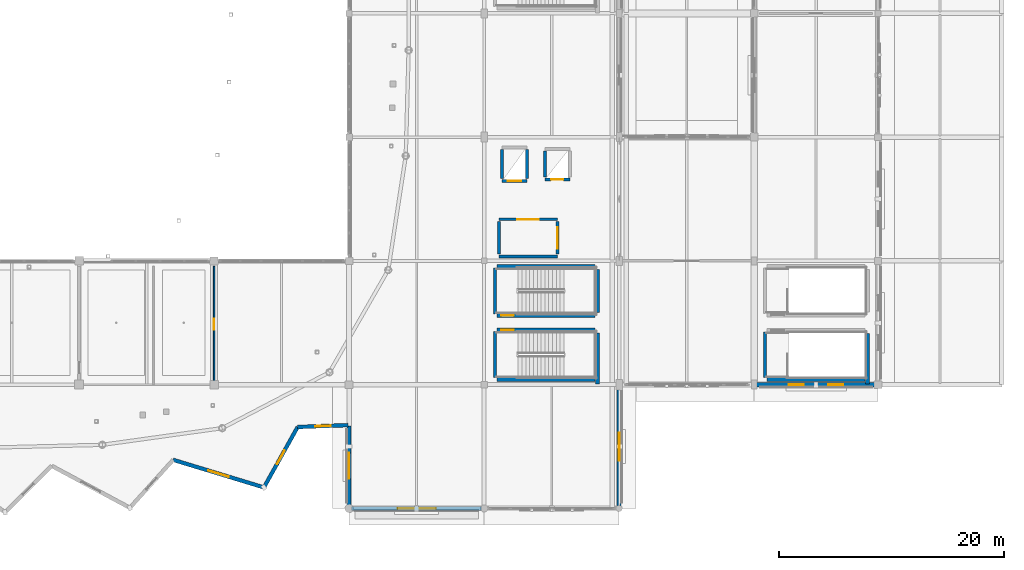
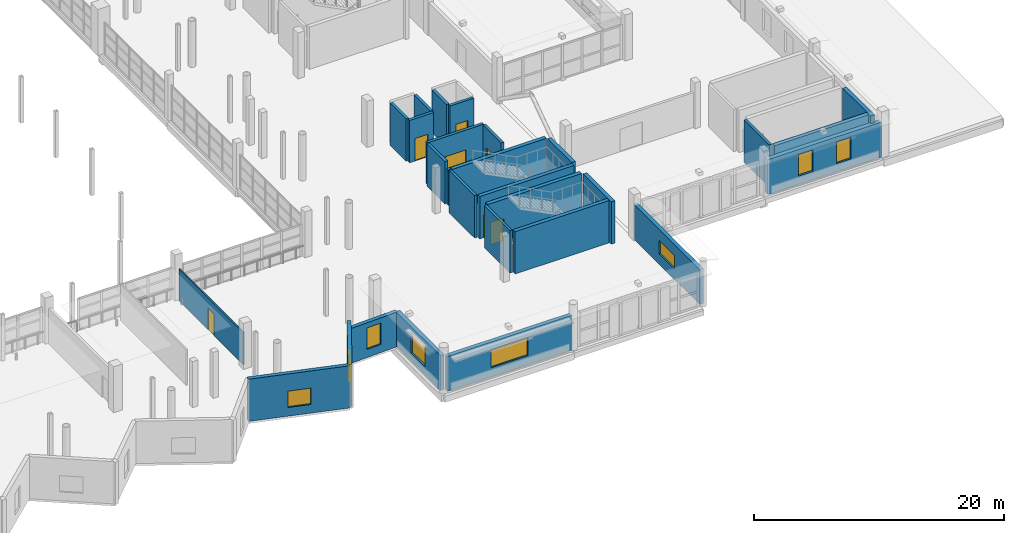
# One storey, part 86 of 118: 28 walls, 8 windows, 7 doors, 15 openings.
"""IFC4 building model written with IfcOpenShell, lengths in metres."""

from ifc_helpers import new_model, si_unit, direction, frame, frame_2d, origin, place, context, subcontext, project, spatial, rectangle, extrude, material, layer, layer_set, type_object, element, fill, save


model = new_model("IFC4")

# Units and contexts
model_context = context("Model", 3, precision=1e-05, world=origin(), true_north=direction((0.0, 1.0)))
body_context = subcontext(model_context, "Body", "Model", "MODEL_VIEW")
ifc_project = project(units=[si_unit("LENGTHUNIT", "METRE"), si_unit("AREAUNIT", "SQUARE_METRE"), si_unit("VOLUMEUNIT", "CUBIC_METRE"), si_unit("PLANEANGLEUNIT", "RADIAN"), si_unit("MASSUNIT", "GRAM", prefix="KILO")], contexts=[model_context])

# Site, building, storey
site_placement = place(None, origin())
site = spatial("IfcSite", under=ifc_project, at=site_placement, CompositionType="ELEMENT")
building_placement = place(site_placement, origin())
building = spatial("IfcBuilding", under=site, at=building_placement, Name="Luwafu Chhajja Arena", CompositionType="ELEMENT")
storey_placement = place(building_placement, frame((0.0, 0.0, 10.199951171875)))
storey = spatial("IfcBuildingStorey", under=building, at=storey_placement, Name="L02", CompositionType="ELEMENT", Elevation=10.199951171875)

# Wall, opening, door
ifc_material_1 = material(Name="Concrete C40/50", Category="concrete")
ifc_layer_1 = layer(ifc_material_1, 0.260009765625, Name="Concrete C40/50")
ifc_layer_set_1 = layer_set([ifc_layer_1], Name="Concrete C40/50")
wall_type_1 = type_object("IfcWallType", Name="Firefighting Lobby Wall 260", PredefinedType="SOLIDWALL", material=ifc_layer_set_1)
wall_1_placement = place(storey_placement, frame((153.300048828125, 25.699951171875, 0.0), z_axis=(0.0, 0.0, 1.0), x_axis=(1.0, 0.0, 0.0)))
wall_1 = element("IfcWall", 1, at=wall_1_placement, inside=storey, type_object=wall_type_1, Name="L02 Core C2 Firefighting Lobby Wall N", PredefinedType="SOLIDWALL", context=body_context, shape_type="SweptSolid", body=[
    extrude(rectangle(XDim=5.199951171875, YDim=0.260009765625, at=frame_2d((2.60009765625, 0.0))), origin(), (0.0, 0.0, 1.0), 4.14013671875),
])
opening_1_placement = place(wall_1_placement, frame((1.64990234375, 0.0, 0.0)))
opening_1 = element("IfcOpeningElement", 2, at=opening_1_placement, cuts=wall_1, Name="Opening DR-07", PredefinedType="OPENING", context=body_context, shape_type="SweptSolid", body=[
    extrude(rectangle(XDim=1.89990234375, YDim=2.199951171875, at=frame_2d((0.949951171875, 1.10009765625))), frame((0.0, 0.139892578125, 0.0), z_axis=(0.0, -1.0, 0.0), x_axis=(1.0, 0.0, 0.0)), (0.0, 0.0, 1.0), 0.280029296875),
])
ifc_material_2 = material(Name="Fire-rated hardwood and vision panel", Category="wood")
door_type_1 = type_object("IfcDoorType", Name="DR-07", OperationType="DOUBLE_DOOR_SINGLE_SWING", PredefinedType="DOOR", material=ifc_material_2)
door_1_placement = place(opening_1_placement, origin())
door_1 = element("IfcDoor", 3, at=door_1_placement, inside=storey, type_object=door_type_1, Name="L02 Firefighting Lobby C2 Door L02-D007", OperationType="DOUBLE_DOOR_SINGLE_SWING", OverallHeight=2.199951171875, OverallWidth=1.89990234375, PredefinedType="DOOR", context=body_context, shape_type="SweptSolid", body=[
    extrude(rectangle(XDim=1.89990234375, YDim=2.199951171875, at=frame_2d((0.949951171875, 1.10009765625))), frame((0.0, 0.02490234375, 0.0), z_axis=(0.0, -1.0, 0.0), x_axis=(1.0, 0.0, 0.0)), (0.0, 0.0, 1.0), 0.050048828125),
])
fill(opening_1, door_1)

# Walls
wall_2_placement = place(storey_placement, frame((153.300048828125, 22.39990234375, 0.0), z_axis=(0.0, 0.0, 1.0), x_axis=(1.0, 0.0, 0.0)))
element("IfcWall", 4, at=wall_2_placement, inside=storey, type_object=wall_type_1, Name="L02 Core C2 Firefighting Lobby Wall S", PredefinedType="SOLIDWALL", context=body_context, shape_type="SweptSolid", body=[
    extrude(rectangle(XDim=5.199951171875, YDim=0.260009765625, at=frame_2d((2.60009765625, 0.0))), origin(), (0.0, 0.0, 1.0), 3.477783203125),
])
wall_3_placement = place(storey_placement, frame((153.300048828125, 22.60009765625, 0.0), z_axis=(0.0, 0.0, 1.0), x_axis=(0.0, 1.0, 0.0)))
element("IfcWall", 5, at=wall_3_placement, inside=storey, type_object=wall_type_1, Name="L02 Core C2 Firefighting Lobby Wall W", PredefinedType="SOLIDWALL", context=body_context, shape_type="SweptSolid", body=[
    extrude(rectangle(XDim=2.89990234375, YDim=0.260009765625, at=frame_2d((1.449951171875, 0.0))), origin(), (0.0, 0.0, 1.0), 4.14013671875),
])

# Wall, opening, door
wall_4_placement = place(storey_placement, frame((158.5, 22.60009765625, 0.0), z_axis=(0.0, 0.0, 1.0), x_axis=(0.0, 1.0, 0.0)))
wall_4 = element("IfcWall", 6, at=wall_4_placement, inside=storey, type_object=wall_type_1, Name="L02 Core C2 Firefighting Lobby Wall E", PredefinedType="SOLIDWALL", context=body_context, shape_type="SweptSolid", body=[
    extrude(rectangle(XDim=2.89990234375, YDim=0.260009765625, at=frame_2d((1.449951171875, 0.0))), origin(), (0.0, 0.0, 1.0), 4.14013671875),
])
opening_2_placement = place(wall_4_placement, frame((0.5, 0.0, 0.0)))
opening_2 = element("IfcOpeningElement", 7, at=opening_2_placement, cuts=wall_4, Name="Opening DR-07", PredefinedType="OPENING", context=body_context, shape_type="SweptSolid", body=[
    extrude(rectangle(XDim=1.89990234375, YDim=2.199951171875, at=frame_2d((0.949951171875, 1.10009765625))), frame((0.0, 0.139892578125, 0.0), z_axis=(0.0, -1.0, 0.0), x_axis=(1.0, 0.0, 0.0)), (0.0, 0.0, 1.0), 0.280029296875),
])
door_2_placement = place(opening_2_placement, origin())
door_2 = element("IfcDoor", 8, at=door_2_placement, inside=storey, type_object=door_type_1, Name="L02 Firefighting Lobby C2 Door L02-D008", OperationType="DOUBLE_DOOR_SINGLE_SWING", OverallHeight=2.199951171875, OverallWidth=1.89990234375, PredefinedType="DOOR", context=body_context, shape_type="SweptSolid", body=[
    extrude(rectangle(XDim=1.89990234375, YDim=2.199951171875, at=frame_2d((0.949951171875, 1.10009765625))), frame((0.0, 0.02490234375, 0.0), z_axis=(0.0, -1.0, 0.0), x_axis=(1.0, 0.0, 0.0)), (0.0, 0.0, 1.0), 0.050048828125),
])
fill(opening_2, door_2)

ifc_material_3 = material(Name="Acoustic metal-stud gypsum board")
ifc_layer_2 = layer(ifc_material_3, 0.1201171875, Name="Acoustic metal-stud gypsum board")
ifc_layer_set_2 = layer_set([ifc_layer_2], Name="Acoustic metal-stud gypsum board")
wall_type_2 = type_object("IfcWallType", Name="Internal Room Partition 120", PredefinedType="PARTITIONING", material=ifc_layer_set_2)
wall_5_placement = place(storey_placement, frame((128.0, 11.219970703125, 0.0), z_axis=(0.0, 0.0, 1.0), x_axis=(0.0, 1.0, 0.0)))
wall_5 = element("IfcWall", 9, at=wall_5_placement, inside=storey, type_object=wall_type_2, Name="L02 Internal Partition 0280", PredefinedType="PARTITIONING", context=body_context, shape_type="SweptSolid", body=[
    extrude(rectangle(XDim=10.300048828125, YDim=0.1201171875, at=frame_2d((5.14990234375, 0.0))), origin(), (0.0, 0.0, 1.0), 3.14013671875),
])
opening_3_placement = place(wall_5_placement, frame((4.659912109375, 0.0, 0.0)))
opening_3 = element("IfcOpeningElement", 10, at=opening_3_placement, cuts=wall_5, Name="Opening DR-27", PredefinedType="OPENING", context=body_context, shape_type="SweptSolid", body=[
    extrude(rectangle(XDim=0.97998046875, YDim=2.10009765625, at=frame_2d((0.489990234375, 1.050048828125))), frame((0.0, 0.070068359375, 0.0), z_axis=(0.0, -1.0, 0.0), x_axis=(1.0, 0.0, 0.0)), (0.0, 0.0, 1.0), 0.14013671875),
])
ifc_material_4 = material(Name="Moisture-resistant laminate leaf")
door_type_2 = type_object("IfcDoorType", Name="DR-27", OperationType="NOTDEFINED", PredefinedType="DOOR", material=ifc_material_4)
door_3_placement = place(opening_3_placement, origin())
door_3 = element("IfcDoor", 11, at=door_3_placement, inside=storey, type_object=door_type_2, Name="L02 Interior Door L02-D038", OperationType="SINGLE_SWING_LEFT", OverallHeight=2.10009765625, OverallWidth=0.97998046875, PredefinedType="DOOR", context=body_context, shape_type="SweptSolid", body=[
    extrude(rectangle(XDim=0.97998046875, YDim=2.10009765625, at=frame_2d((0.489990234375, 1.050048828125))), frame((0.0, 0.02490234375, 0.0), z_axis=(0.0, -1.0, 0.0), x_axis=(1.0, 0.0, 0.0)), (0.0, 0.0, 1.0), 0.050048828125),
])
fill(opening_3, door_3)

ifc_material_5 = material(Name="Concrete C35/45", Category="concrete")
ifc_layer_3 = layer(ifc_material_5, 0.260009765625, Name="Concrete C35/45")
ifc_layer_set_3 = layer_set([ifc_layer_3], Name="Concrete C35/45")
wall_type_3 = type_object("IfcWallType", Name="Lift and Riser Shaft Wall 260", PredefinedType="SOLIDWALL", material=ifc_layer_set_3)
wall_6_placement = place(storey_placement, frame((153.590087890625, 29.114990234375, 0.0), z_axis=(0.0, 0.0, 1.0), x_axis=(1.0, 0.0, 0.0)))
wall_6 = element("IfcWall", 12, at=wall_6_placement, inside=storey, type_object=wall_type_3, Name="L02 Lift LF-02 Shaft Wall S", PredefinedType="SOLIDWALL", context=body_context, shape_type="SweptSolid", body=[
    extrude(rectangle(XDim=2.219970703125, YDim=0.260009765625, at=frame_2d((1.10986328125, 0.0))), origin(), (0.0, 0.0, 1.0), 4.14013671875),
])
opening_4_placement = place(wall_6_placement, frame((0.510009765625, 0.0, 0.0)))
opening_4 = element("IfcOpeningElement", 13, at=opening_4_placement, cuts=wall_6, Name="Opening LD-02", PredefinedType="OPENING", context=body_context, shape_type="SweptSolid", body=[
    extrude(rectangle(XDim=1.199951171875, YDim=2.199951171875, at=frame_2d((0.60009765625, 1.10009765625))), frame((0.0, 0.139892578125, 0.0), z_axis=(0.0, -1.0, 0.0), x_axis=(1.0, 0.0, 0.0)), (0.0, 0.0, 1.0), 0.280029296875),
])
ifc_material_6 = material(Name="Brushed stainless steel sliding leaves", Category="steel")
door_type_3 = type_object("IfcDoorType", Name="LD-02", OperationType="SLIDING_TO_LEFT", PredefinedType="DOOR", material=ifc_material_6)
door_4_placement = place(opening_4_placement, origin())
door_4 = element("IfcDoor", 14, at=door_4_placement, inside=storey, type_object=door_type_3, Name="L02 Lift LF-02 Landing Door L02-LD03", OperationType="SLIDING_TO_LEFT", OverallHeight=2.199951171875, OverallWidth=1.199951171875, PredefinedType="DOOR", context=body_context, shape_type="SweptSolid", body=[
    extrude(rectangle(XDim=1.199951171875, YDim=2.199951171875, at=frame_2d((0.60009765625, 1.10009765625))), frame((0.0, 0.02490234375, 0.0), z_axis=(0.0, -1.0, 0.0), x_axis=(1.0, 0.0, 0.0)), (0.0, 0.0, 1.0), 0.050048828125),
])
fill(opening_4, door_4)

# Walls
for number, where, z_axis, x_axis, name in (
    (15, (153.590087890625, 29.31494140625, 0.0), (0.0, 0.0, 1.0), (0.0, 1.0, 0.0), "L02 Lift LF-02 Shaft Wall W"),
    (16, (155.81005859375, 29.31494140625, 0.0), (0.0, 0.0, 1.0), (0.0, 1.0, 0.0), "L02 Lift LF-02 Shaft Wall E"),
):
    element("IfcWall", number, at=place(storey_placement, frame(where, z_axis=z_axis, x_axis=x_axis)), inside=storey, type_object=wall_type_3, Name=name, PredefinedType="SOLIDWALL", context=body_context, shape_type="SweptSolid", body=[
        extrude(rectangle(XDim=2.570068359375, YDim=0.260009765625, at=frame_2d((1.28515625, 0.0))), origin(), (0.0, 0.0, 1.0), 4.14013671875),
    ])

# Wall, opening, door
wall_7_placement = place(storey_placement, frame((157.389892578125, 29.239990234375, 0.0), z_axis=(0.0, 0.0, 1.0), x_axis=(1.0, 0.0, 0.0)))
wall_7 = element("IfcWall", 17, at=wall_7_placement, inside=storey, type_object=wall_type_3, Name="L02 Lift LF-06 Shaft Wall S", PredefinedType="SOLIDWALL", context=body_context, shape_type="SweptSolid", body=[
    extrude(rectangle(XDim=2.22021484375, YDim=0.260009765625, at=frame_2d((1.110107421875, 0.0))), origin(), (0.0, 0.0, 1.0), 4.14013671875),
])
opening_5_placement = place(wall_7_placement, frame((0.56005859375, 0.0, 0.0)))
opening_5 = element("IfcOpeningElement", 18, at=opening_5_placement, cuts=wall_7, Name="Opening LD-01", PredefinedType="OPENING", context=body_context, shape_type="SweptSolid", body=[
    extrude(rectangle(XDim=1.10009765625, YDim=2.14990234375, at=frame_2d((0.550048828125, 1.074951171875))), frame((0.0, 0.139892578125, 0.0), z_axis=(0.0, -1.0, 0.0), x_axis=(1.0, 0.0, 0.0)), (0.0, 0.0, 1.0), 0.280029296875),
])
door_type_4 = type_object("IfcDoorType", Name="LD-01", OperationType="SLIDING_TO_LEFT", PredefinedType="DOOR", material=ifc_material_6)
door_5_placement = place(opening_5_placement, origin())
door_5 = element("IfcDoor", 19, at=door_5_placement, inside=storey, type_object=door_type_4, Name="L02 Lift LF-06 Landing Door L02-LD04", OperationType="SLIDING_TO_LEFT", OverallHeight=2.14990234375, OverallWidth=1.10009765625, PredefinedType="DOOR", context=body_context, shape_type="SweptSolid", body=[
    extrude(rectangle(XDim=1.10009765625, YDim=2.14990234375, at=frame_2d((0.550048828125, 1.074951171875))), frame((0.0, 0.02490234375, 0.0), z_axis=(0.0, -1.0, 0.0), x_axis=(1.0, 0.0, 0.0)), (0.0, 0.0, 1.0), 0.050048828125),
])
fill(opening_5, door_5)

# Wall
wall_8_placement = place(storey_placement, frame((157.389892578125, 29.43994140625, 0.0), z_axis=(0.0, 0.0, 1.0), x_axis=(0.0, 1.0, 0.0)))
element("IfcWall", 20, at=wall_8_placement, inside=storey, type_object=wall_type_3, Name="L02 Lift LF-06 Shaft Wall W", PredefinedType="SOLIDWALL", context=body_context, shape_type="SweptSolid", body=[
    extrude(rectangle(XDim=2.320068359375, YDim=0.260009765625, at=frame_2d((1.16015625, 0.0))), origin(), (0.0, 0.0, 1.0), 4.14013671875),
])

# Wall, opening, window
ifc_material_7 = material(Name="Precast concrete C40/50", Category="concrete")
ifc_layer_4 = layer(ifc_material_7, 0.340087890625, Name="Precast concrete C40/50")
ifc_layer_set_4 = layer_set([ifc_layer_4], Name="Precast concrete C40/50")
wall_type_4 = type_object("IfcWallType", Name="Pleated Bowl V-Fold Wall 340", PredefinedType="USERDEFINED", material=ifc_layer_set_4)
wall_9_placement = place(storey_placement, frame((124.364013671875, 4.316162109375, 0.0), z_axis=(0.0, 0.0, 1.0), x_axis=(0.956738407321, -0.290949514446, 0.0)))
wall_9 = element("IfcWall", 21, at=wall_9_placement, inside=storey, type_object=wall_type_4, Name="L02 Pleated Bowl V-Fold Wall 54", ObjectType="PLEATED FACADE WALL", PredefinedType="USERDEFINED", context=body_context, shape_type="SweptSolid", body=[
    extrude(rectangle(XDim=8.427978515625, YDim=0.340087890625, at=frame_2d((4.2138671875, 0.0))), origin(), (0.0, 0.0, 1.0), 4.135009765625),
])
opening_6_placement = place(wall_9_placement, frame((3.263916015625, 0.0, 0.85009765625)))
opening_6 = element("IfcOpeningElement", 22, at=opening_6_placement, cuts=wall_9, Name="Opening WN-15", PredefinedType="OPENING", context=body_context, shape_type="SweptSolid", body=[
    extrude(rectangle(XDim=1.89990234375, YDim=1.60009765625, at=frame_2d((0.949951171875, 0.800048828125))), frame((0.0, 0.179931640625, 0.0), z_axis=(0.0, -1.0, 0.0), x_axis=(1.0, 0.0, 0.0)), (0.0, 0.0, 1.0), 0.360107421875),
])
ifc_material_8 = material(Name="Solar-control laminated glass", Category="glass")
window_type_1 = type_object("IfcWindowType", Name="Pleated Drum Inward-Fold Clerestory 1900x1600", PartitioningType="SINGLE_PANEL", PredefinedType="WINDOW", material=ifc_material_8)
window_1_placement = place(opening_6_placement, origin())
window_1 = element("IfcWindow", 23, at=window_1_placement, inside=storey, type_object=window_type_1, Name="L02 Pleated Bowl Lancet Window 032", OverallHeight=1.60009765625, OverallWidth=1.89990234375, PartitioningType="SINGLE_PANEL", PredefinedType="WINDOW", context=body_context, shape_type="SweptSolid", body=[
    extrude(rectangle(XDim=1.89990234375, YDim=1.60009765625, at=frame_2d((0.949951171875, 0.800048828125))), frame((0.0, 0.030029296875, 0.0), z_axis=(0.0, -1.0, 0.0), x_axis=(1.0, 0.0, 0.0)), (0.0, 0.0, 1.0), 0.06005859375),
])
fill(opening_6, window_1)

wall_10_placement = place(storey_placement, frame((132.427490234375, 1.864013671875, 0.0), z_axis=(0.0, 0.0, 1.0), x_axis=(0.487306352228, 0.87323108, 0.0)))
wall_10 = element("IfcWall", 24, at=wall_10_placement, inside=storey, type_object=wall_type_4, Name="L02 Pleated Bowl V-Fold Wall 55", ObjectType="PLEATED FACADE WALL", PredefinedType="USERDEFINED", context=body_context, shape_type="SweptSolid", body=[
    extrude(rectangle(XDim=6.15283203125, YDim=0.340087890625, at=frame_2d((3.076416015625, 0.0))), origin(), (0.0, 0.0, 1.0), 4.135009765625),
])
opening_7_placement = place(wall_10_placement, frame((2.401611328125, 0.0, 0.800048828125)))
opening_7 = element("IfcOpeningElement", 25, at=opening_7_placement, cuts=wall_10, Name="Opening WN-17", PredefinedType="OPENING", context=body_context, shape_type="SweptSolid", body=[
    extrude(rectangle(XDim=1.35009765625, YDim=2.10009765625, at=frame_2d((0.675048828125, 1.050048828125))), frame((0.0, 0.179931640625, 0.0), z_axis=(0.0, -1.0, 0.0), x_axis=(1.0, 0.0, 0.0)), (0.0, 0.0, 1.0), 0.360107421875),
])
window_type_2 = type_object("IfcWindowType", Name="Exhibition Mezzanine Lancet Window 1350x2100", PartitioningType="SINGLE_PANEL", PredefinedType="WINDOW", material=ifc_material_8)
window_2_placement = place(opening_7_placement, origin())
window_2 = element("IfcWindow", 26, at=window_2_placement, inside=storey, type_object=window_type_2, Name="L02 Pleated Bowl Lancet Window 033", OverallHeight=2.10009765625, OverallWidth=1.35009765625, PartitioningType="SINGLE_PANEL", PredefinedType="WINDOW", context=body_context, shape_type="SweptSolid", body=[
    extrude(rectangle(XDim=1.35009765625, YDim=2.10009765625, at=frame_2d((0.675048828125, 1.050048828125))), frame((0.0, 0.030029296875, 0.0), z_axis=(0.0, -1.0, 0.0), x_axis=(1.0, 0.0, 0.0)), (0.0, 0.0, 1.0), 0.06005859375),
])
fill(opening_7, window_2)

wall_11_placement = place(storey_placement, frame((135.42578125, 7.23681640625, 0.0), z_axis=(0.0, 0.0, 1.0), x_axis=(0.999296191983, 0.037511607381, 0.0)))
wall_11 = element("IfcWall", 27, at=wall_11_placement, inside=storey, type_object=wall_type_4, Name="L02 Pleated Bowl V-Fold Wall 56", ObjectType="PLEATED FACADE WALL", PredefinedType="USERDEFINED", context=body_context, shape_type="SweptSolid", body=[
    extrude(rectangle(XDim=4.497314453125, YDim=0.340087890625, at=frame_2d((2.24853515625, 0.0))), origin(), (0.0, 0.0, 1.0), 3.405029296875),
])
opening_8_placement = place(wall_11_placement, frame((1.573486328125, 0.0, 0.800048828125)))
opening_8 = element("IfcOpeningElement", 28, at=opening_8_placement, cuts=wall_11, Name="Opening WN-17", PredefinedType="OPENING", context=body_context, shape_type="SweptSolid", body=[
    extrude(rectangle(XDim=1.35009765625, YDim=2.10009765625, at=frame_2d((0.675048828125, 1.050048828125))), frame((0.0, 0.179931640625, 0.0), z_axis=(0.0, -1.0, 0.0), x_axis=(1.0, 0.0, 0.0)), (0.0, 0.0, 1.0), 0.360107421875),
])
window_3_placement = place(opening_8_placement, origin())
window_3 = element("IfcWindow", 29, at=window_3_placement, inside=storey, type_object=window_type_2, Name="L02 Pleated Bowl Lancet Window 034", OverallHeight=2.10009765625, OverallWidth=1.35009765625, PartitioningType="SINGLE_PANEL", PredefinedType="WINDOW", context=body_context, shape_type="SweptSolid", body=[
    extrude(rectangle(XDim=1.35009765625, YDim=2.10009765625, at=frame_2d((0.675048828125, 1.050048828125))), frame((0.0, 0.030029296875, 0.0), z_axis=(0.0, -1.0, 0.0), x_axis=(1.0, 0.0, 0.0)), (0.0, 0.0, 1.0), 0.06005859375),
])
fill(opening_8, window_3)

# Walls
ifc_layer_5 = layer(ifc_material_1, 0.35009765625, Name="Concrete C40/50")
ifc_layer_set_5 = layer_set([ifc_layer_5], Name="Concrete C40/50")
wall_type_5 = type_object("IfcWallType", Name="RC Core Shear Wall 350", PredefinedType="SOLIDWALL", material=ifc_layer_set_5)
wall_12_placement = place(storey_placement, frame((162.072021484375, 11.050048828125, 0.0), z_axis=(0.0, 0.0, 1.0), x_axis=(0.0, 1.0, 0.0)))
element("IfcWall", 30, at=wall_12_placement, inside=storey, type_object=wall_type_5, Name="L02 Stair ST-03 Core Shear Wall E", PredefinedType="SOLIDWALL", context=body_context, shape_type="SweptSolid", body=[
    extrude(rectangle(XDim=4.5400390625, YDim=0.35009765625, at=frame_2d((2.27001953125, 0.0))), origin(), (0.0, 0.0, 1.0), 4.14013671875),
])
wall_13_placement = place(storey_placement, frame((153.14990234375, 11.47802734375, 0.0), z_axis=(0.0, 0.0, 1.0), x_axis=(1.0, 0.0, 0.0)))
element("IfcWall", 31, at=wall_13_placement, inside=storey, type_object=wall_type_5, Name="L02 Stair ST-03 Core Shear Wall S", PredefinedType="SOLIDWALL", context=body_context, shape_type="SweptSolid", body=[
    extrude(rectangle(XDim=8.7001953125, YDim=0.35009765625, at=frame_2d((4.35009765625, 0.0))), origin(), (0.0, 0.0, 1.0), 4.14013671875),
])

# Wall, opening, door
wall_14_placement = place(storey_placement, frame((153.14990234375, 15.862060546875, 0.0), z_axis=(0.0, 0.0, 1.0), x_axis=(1.0, 0.0, 0.0)))
wall_14 = element("IfcWall", 32, at=wall_14_placement, inside=storey, type_object=wall_type_5, Name="L02 Stair ST-03 Core Shear Wall N", PredefinedType="SOLIDWALL", context=body_context, shape_type="SweptSolid", body=[
    extrude(rectangle(XDim=8.7001953125, YDim=0.35009765625, at=frame_2d((4.35009765625, 0.0))), origin(), (0.0, 0.0, 1.0), 4.14013671875),
])
opening_9_placement = place(wall_14_placement, frame((0.35009765625, 0.0, 0.0)))
opening_9 = element("IfcOpeningElement", 33, at=opening_9_placement, cuts=wall_14, Name="Opening DR-06", PredefinedType="OPENING", context=body_context, shape_type="SweptSolid", body=[
    extrude(rectangle(XDim=1.14990234375, YDim=2.199951171875, at=frame_2d((0.574951171875, 1.10009765625))), frame((0.0, 0.18505859375, 0.0), z_axis=(0.0, -1.0, 0.0), x_axis=(1.0, 0.0, 0.0)), (0.0, 0.0, 1.0), 0.3701171875),
])
ifc_material_9 = material(Name="Fire-rated hardwood and steel core", Category="steel")
door_type_5 = type_object("IfcDoorType", Name="DR-06", OperationType="NOTDEFINED", PredefinedType="DOOR", material=ifc_material_9)
door_6_placement = place(opening_9_placement, origin())
door_6 = element("IfcDoor", 34, at=door_6_placement, inside=storey, type_object=door_type_5, Name="L02 Escape Stair ST-03 Fire Door L02-D005", OperationType="SINGLE_SWING_RIGHT", OverallHeight=2.199951171875, OverallWidth=1.14990234375, PredefinedType="DOOR", context=body_context, shape_type="SweptSolid", body=[
    extrude(rectangle(XDim=1.14990234375, YDim=2.199951171875, at=frame_2d((0.574951171875, 1.10009765625))), frame((0.0, 0.02490234375, 0.0), z_axis=(0.0, -1.0, 0.0), x_axis=(1.0, 0.0, 0.0)), (0.0, 0.0, 1.0), 0.050048828125),
])
fill(opening_9, door_6)

# Wall
wall_15_placement = place(storey_placement, frame((162.072021484375, 17.409912109375, 0.0), z_axis=(0.0, 0.0, 1.0), x_axis=(0.0, 1.0, 0.0)))
element("IfcWall", 35, at=wall_15_placement, inside=storey, type_object=wall_type_5, Name="L02 Stair ST-04 Core Shear Wall E", PredefinedType="SOLIDWALL", context=body_context, shape_type="SweptSolid", body=[
    extrude(rectangle(XDim=3.840087890625, YDim=0.35009765625, at=frame_2d((1.919921875, 0.0))), origin(), (0.0, 0.0, 1.0), 4.14013671875),
])

# Wall, opening, door
wall_16_placement = place(storey_placement, frame((153.14990234375, 17.137939453125, 0.0), z_axis=(0.0, 0.0, 1.0), x_axis=(1.0, 0.0, 0.0)))
wall_16 = element("IfcWall", 36, at=wall_16_placement, inside=storey, type_object=wall_type_5, Name="L02 Stair ST-04 Core Shear Wall S", PredefinedType="SOLIDWALL", context=body_context, shape_type="SweptSolid", body=[
    extrude(rectangle(XDim=8.7001953125, YDim=0.35009765625, at=frame_2d((4.35009765625, 0.0))), origin(), (0.0, 0.0, 1.0), 4.14013671875),
])
opening_10_placement = place(wall_16_placement, frame((0.35009765625, 0.0, 0.0)))
opening_10 = element("IfcOpeningElement", 37, at=opening_10_placement, cuts=wall_16, Name="Opening DR-06", PredefinedType="OPENING", context=body_context, shape_type="SweptSolid", body=[
    extrude(rectangle(XDim=1.14990234375, YDim=2.199951171875, at=frame_2d((0.574951171875, 1.10009765625))), frame((0.0, 0.18505859375, 0.0), z_axis=(0.0, -1.0, 0.0), x_axis=(1.0, 0.0, 0.0)), (0.0, 0.0, 1.0), 0.3701171875),
])
door_7_placement = place(opening_10_placement, origin())
door_7 = element("IfcDoor", 38, at=door_7_placement, inside=storey, type_object=door_type_5, Name="L02 Escape Stair ST-04 Fire Door L02-D006", OperationType="SINGLE_SWING_LEFT", OverallHeight=2.199951171875, OverallWidth=1.14990234375, PredefinedType="DOOR", context=body_context, shape_type="SweptSolid", body=[
    extrude(rectangle(XDim=1.14990234375, YDim=2.199951171875, at=frame_2d((0.574951171875, 1.10009765625))), frame((0.0, 0.02490234375, 0.0), z_axis=(0.0, -1.0, 0.0), x_axis=(1.0, 0.0, 0.0)), (0.0, 0.0, 1.0), 0.050048828125),
])
fill(opening_10, door_7)

# Walls
wall_17_placement = place(storey_placement, frame((153.14990234375, 21.52197265625, 0.0), z_axis=(0.0, 0.0, 1.0), x_axis=(1.0, 0.0, 0.0)))
element("IfcWall", 39, at=wall_17_placement, inside=storey, type_object=wall_type_5, Name="L02 Stair ST-04 Core Shear Wall N", PredefinedType="SOLIDWALL", context=body_context, shape_type="SweptSolid", body=[
    extrude(rectangle(XDim=8.7001953125, YDim=0.35009765625, at=frame_2d((4.35009765625, 0.0))), origin(), (0.0, 0.0, 1.0), 4.14013671875),
])
wall_18_placement = place(storey_placement, frame((186.072021484375, 11.050048828125, 0.0), z_axis=(0.0, 0.0, 1.0), x_axis=(0.0, 1.0, 0.0)))
element("IfcWall", 40, at=wall_18_placement, inside=storey, type_object=wall_type_5, Name="L02 Stair ST-15 Core Shear Wall E", PredefinedType="SOLIDWALL", context=body_context, shape_type="SweptSolid", body=[
    extrude(rectangle(XDim=4.5, YDim=0.35009765625, at=frame_2d((2.25, 0.0))), origin(), (0.0, 0.0, 1.0), 4.14013671875),
])
wall_19_placement = place(storey_placement, frame((177.14990234375, 11.47802734375, 0.0), z_axis=(0.0, 0.0, 1.0), x_axis=(1.0, 0.0, 0.0)))
element("IfcWall", 41, at=wall_19_placement, inside=storey, type_object=wall_type_5, Name="L02 Stair ST-15 Core Shear Wall S", PredefinedType="SOLIDWALL", context=body_context, shape_type="SweptSolid", body=[
    extrude(rectangle(XDim=8.7001953125, YDim=0.35009765625, at=frame_2d((4.35009765625, 0.0))), origin(), (0.0, 0.0, 1.0), 4.14013671875),
])

# Wall, openings, windows
ifc_layer_6 = layer(ifc_material_1, 0.39990234375, Name="Concrete C40/50")
ifc_layer_set_6 = layer_set([ifc_layer_6], Name="Concrete C40/50")
wall_type_6 = type_object("IfcWallType", Name="RC Core Shear Wall 400", PredefinedType="SOLIDWALL", material=ifc_layer_set_6)
wall_20_placement = place(storey_placement, frame((176.219970703125, 11.0, 0.0), z_axis=(0.0, 0.0, 1.0), x_axis=(1.0, 0.0, 0.0)))
wall_20 = element("IfcWall", 42, at=wall_20_placement, inside=storey, type_object=wall_type_6, Name="L02 Exterior Wall WEX-L02-172", PredefinedType="SOLIDWALL", context=body_context, shape_type="SweptSolid", body=[
    extrude(rectangle(XDim=10.56005859375, YDim=0.39990234375, at=frame_2d((5.280029296875, 0.0))), origin(), (0.0, 0.0, 1.0), 3.405029296875),
])
opening_11_placement = place(wall_20_placement, frame((2.844970703125, 0.0, 0.800048828125)))
opening_11 = element("IfcOpeningElement", 43, at=opening_11_placement, cuts=wall_20, Name="Opening WN-17", PredefinedType="OPENING", context=body_context, shape_type="SweptSolid", body=[
    extrude(rectangle(XDim=1.35009765625, YDim=2.10009765625, at=frame_2d((0.675048828125, 1.050048828125))), frame((0.0, 0.2099609375, 0.0), z_axis=(0.0, -1.0, 0.0), x_axis=(1.0, 0.0, 0.0)), (0.0, 0.0, 1.0), 0.419921875),
])
opening_12_placement = place(wall_20_placement, frame((6.364990234375, 0.0, 0.800048828125)))
opening_12 = element("IfcOpeningElement", 44, at=opening_12_placement, cuts=wall_20, Name="Opening WN-17", PredefinedType="OPENING", context=body_context, shape_type="SweptSolid", body=[
    extrude(rectangle(XDim=1.35009765625, YDim=2.10009765625, at=frame_2d((0.675048828125, 1.050048828125))), frame((0.0, 0.2099609375, 0.0), z_axis=(0.0, -1.0, 0.0), x_axis=(1.0, 0.0, 0.0)), (0.0, 0.0, 1.0), 0.419921875),
])
window_4_placement = place(opening_11_placement, origin())
window_4 = element("IfcWindow", 45, at=window_4_placement, inside=storey, type_object=window_type_2, Name="L02 Facade Window 106", OverallHeight=2.10009765625, OverallWidth=1.35009765625, PartitioningType="SINGLE_PANEL", PredefinedType="WINDOW", context=body_context, shape_type="SweptSolid", body=[
    extrude(rectangle(XDim=1.35009765625, YDim=2.10009765625, at=frame_2d((0.675048828125, 1.050048828125))), frame((0.0, 0.030029296875, 0.0), z_axis=(0.0, -1.0, 0.0), x_axis=(1.0, 0.0, 0.0)), (0.0, 0.0, 1.0), 0.06005859375),
])
fill(opening_11, window_4)
window_5_placement = place(opening_12_placement, origin())
window_5 = element("IfcWindow", 46, at=window_5_placement, inside=storey, type_object=window_type_2, Name="L02 Facade Window 107", OverallHeight=2.10009765625, OverallWidth=1.35009765625, PartitioningType="SINGLE_PANEL", PredefinedType="WINDOW", context=body_context, shape_type="SweptSolid", body=[
    extrude(rectangle(XDim=1.35009765625, YDim=2.10009765625, at=frame_2d((0.675048828125, 1.050048828125))), frame((0.0, 0.030029296875, 0.0), z_axis=(0.0, -1.0, 0.0), x_axis=(1.0, 0.0, 0.0)), (0.0, 0.0, 1.0), 0.06005859375),
])
fill(opening_12, window_5)

# Wall, opening, window
ifc_layer_7 = layer(ifc_material_5, 0.360107421875, Name="Concrete C35/45")
ifc_layer_set_7 = layer_set([ifc_layer_7], Name="Concrete C35/45")
wall_type_7 = type_object("IfcWallType", Name="Sandstone Backed Exterior Wall 360", PredefinedType="SOLIDWALL", material=ifc_layer_set_7)
wall_21_placement = place(storey_placement, frame((140.219970703125, 0.0, 0.0), z_axis=(0.0, 0.0, 1.0), x_axis=(1.0, 0.0, 0.0)))
wall_21 = element("IfcWall", 47, at=wall_21_placement, inside=storey, type_object=wall_type_7, Name="L02 Exterior Wall WEX-L02-166", PredefinedType="SOLIDWALL", context=body_context, shape_type="SweptSolid", body=[
    extrude(rectangle(XDim=11.56005859375, YDim=0.360107421875, at=frame_2d((5.780029296875, 0.0))), origin(), (0.0, 0.0, 1.0), 3.405029296875),
])
opening_13_placement = place(wall_21_placement, frame((4.080078125, 0.0, 0.89990234375)))
opening_13 = element("IfcOpeningElement", 48, at=opening_13_placement, cuts=wall_21, Name="Opening WN-18", PredefinedType="OPENING", context=body_context, shape_type="SweptSolid", body=[
    extrude(rectangle(XDim=3.39990234375, YDim=1.75, at=frame_2d((1.699951171875, 0.875))), frame((0.0, 0.18994140625, 0.0), z_axis=(0.0, -1.0, 0.0), x_axis=(1.0, 0.0, 0.0)), (0.0, 0.0, 1.0), 0.380126953125),
])
window_type_3 = type_object("IfcWindowType", Name="VIP Dining Panoramic Window 3400x1750", PartitioningType="SINGLE_PANEL", PredefinedType="WINDOW", material=ifc_material_8)
window_6_placement = place(opening_13_placement, origin())
window_6 = element("IfcWindow", 49, at=window_6_placement, inside=storey, type_object=window_type_3, Name="L02 Facade Window 101", OverallHeight=1.75, OverallWidth=3.39990234375, PartitioningType="SINGLE_PANEL", PredefinedType="WINDOW", context=body_context, shape_type="SweptSolid", body=[
    extrude(rectangle(XDim=3.39990234375, YDim=1.75, at=frame_2d((1.699951171875, 0.875))), frame((0.0, 0.030029296875, 0.0), z_axis=(0.0, -1.0, 0.0), x_axis=(1.0, 0.0, 0.0)), (0.0, 0.0, 1.0), 0.06005859375),
])
fill(opening_13, window_6)

wall_22_placement = place(storey_placement, frame((140.0, 0.219970703125, 0.0), z_axis=(0.0, 0.0, 1.0), x_axis=(0.0, 1.0, 0.0)))
wall_22 = element("IfcWall", 50, at=wall_22_placement, inside=storey, type_object=wall_type_7, Name="L02 Exterior Wall WEX-L02-167", PredefinedType="SOLIDWALL", context=body_context, shape_type="SweptSolid", body=[
    extrude(rectangle(XDim=7.12841796875, YDim=0.360107421875, at=frame_2d((3.564208984375, 0.0))), origin(), (0.0, 0.0, 1.0), 3.405029296875),
])
opening_14_placement = place(wall_22_placement, frame((2.414306640625, 0.0, 0.85009765625)))
opening_14 = element("IfcOpeningElement", 51, at=opening_14_placement, cuts=wall_22, Name="Opening WN-19", PredefinedType="OPENING", context=body_context, shape_type="SweptSolid", body=[
    extrude(rectangle(XDim=2.300048828125, YDim=2.050048828125, at=frame_2d((1.14990234375, 1.02490234375))), frame((0.0, 0.18994140625, 0.0), z_axis=(0.0, -1.0, 0.0), x_axis=(1.0, 0.0, 0.0)), (0.0, 0.0, 1.0), 0.380126953125),
])
window_type_4 = type_object("IfcWindowType", Name="Supporters Lounge Arch-Head Window 2300x2050", PartitioningType="SINGLE_PANEL", PredefinedType="WINDOW", material=ifc_material_8)
window_7_placement = place(opening_14_placement, origin())
window_7 = element("IfcWindow", 52, at=window_7_placement, inside=storey, type_object=window_type_4, Name="L02 Facade Window 102", OverallHeight=2.050048828125, OverallWidth=2.300048828125, PartitioningType="SINGLE_PANEL", PredefinedType="WINDOW", context=body_context, shape_type="SweptSolid", body=[
    extrude(rectangle(XDim=2.300048828125, YDim=2.050048828125, at=frame_2d((1.14990234375, 1.02490234375))), frame((0.0, 0.030029296875, 0.0), z_axis=(0.0, -1.0, 0.0), x_axis=(1.0, 0.0, 0.0)), (0.0, 0.0, 1.0), 0.06005859375),
])
fill(opening_14, window_7)

wall_23_placement = place(storey_placement, frame((164.0, 0.219970703125, 0.0), z_axis=(0.0, 0.0, 1.0), x_axis=(0.0, 1.0, 0.0)))
wall_23 = element("IfcWall", 53, at=wall_23_placement, inside=storey, type_object=wall_type_7, Name="L02 Exterior Wall WEX-L02-168", PredefinedType="SOLIDWALL", context=body_context, shape_type="SweptSolid", body=[
    extrude(rectangle(XDim=10.56005859375, YDim=0.360107421875, at=frame_2d((5.280029296875, 0.0))), origin(), (0.0, 0.0, 1.0), 3.405029296875),
])
opening_15_placement = place(wall_23_placement, frame((4.030029296875, 0.0, 1.0)))
opening_15 = element("IfcOpeningElement", 54, at=opening_15_placement, cuts=wall_23, Name="Opening WN-20", PredefinedType="OPENING", context=body_context, shape_type="SweptSolid", body=[
    extrude(rectangle(XDim=2.5, YDim=1.35009765625, at=frame_2d((1.25, 0.675048828125))), frame((0.0, 0.18994140625, 0.0), z_axis=(0.0, -1.0, 0.0), x_axis=(1.0, 0.0, 0.0)), (0.0, 0.0, 1.0), 0.380126953125),
])
window_type_5 = type_object("IfcWindowType", Name="Broadcast Gallery Slot Window 2500x1350", PartitioningType="SINGLE_PANEL", PredefinedType="WINDOW", material=ifc_material_8)
window_8_placement = place(opening_15_placement, origin())
window_8 = element("IfcWindow", 55, at=window_8_placement, inside=storey, type_object=window_type_5, Name="L02 Facade Window 103", OverallHeight=1.35009765625, OverallWidth=2.5, PartitioningType="SINGLE_PANEL", PredefinedType="WINDOW", context=body_context, shape_type="SweptSolid", body=[
    extrude(rectangle(XDim=2.5, YDim=1.35009765625, at=frame_2d((1.25, 0.675048828125))), frame((0.0, 0.030029296875, 0.0), z_axis=(0.0, -1.0, 0.0), x_axis=(1.0, 0.0, 0.0)), (0.0, 0.0, 1.0), 0.06005859375),
])
fill(opening_15, window_8)

# Walls
ifc_layer_8 = layer(ifc_material_5, 0.22998046875, Name="Concrete C35/45")
ifc_layer_set_8 = layer_set([ifc_layer_8], Name="Concrete C35/45")
wall_type_8 = type_object("IfcWallType", Name="Stair Enclosure Wall 230", PredefinedType="SOLIDWALL", material=ifc_layer_set_8)
for number, where, z_axis, x_axis, name in (
    (56, (152.9599609375, 11.6298828125, 0.0), (0.0, 0.0, 1.0), (0.0, 1.0, 0.0), "L02 Stair ST-03 Enclosure Wall W"),
    (57, (152.9599609375, 17.2900390625, 0.0), (0.0, 0.0, 1.0), (0.0, 1.0, 0.0), "L02 Stair ST-04 Enclosure Wall W"),
):
    element("IfcWall", number, at=place(storey_placement, frame(where, z_axis=z_axis, x_axis=x_axis)), inside=storey, type_object=wall_type_8, Name=name, PredefinedType="SOLIDWALL", context=body_context, shape_type="SweptSolid", body=[
        extrude(rectangle(XDim=4.080078125, YDim=0.22998046875, at=frame_2d((2.0400390625, 0.0))), origin(), (0.0, 0.0, 1.0), 4.14013671875),
    ])
wall_24_placement = place(storey_placement, frame((176.9599609375, 11.6298828125, 0.0), z_axis=(0.0, 0.0, 1.0), x_axis=(0.0, 1.0, 0.0)))
element("IfcWall", 58, at=wall_24_placement, inside=storey, type_object=wall_type_8, Name="L02 Stair ST-15 Enclosure Wall W", PredefinedType="SOLIDWALL", context=body_context, shape_type="SweptSolid", body=[
    extrude(rectangle(XDim=4.0400390625, YDim=0.22998046875, at=frame_2d((2.02001953125, 0.0))), origin(), (0.0, 0.0, 1.0), 4.14013671875),
])

save(model, "model.ifc")
